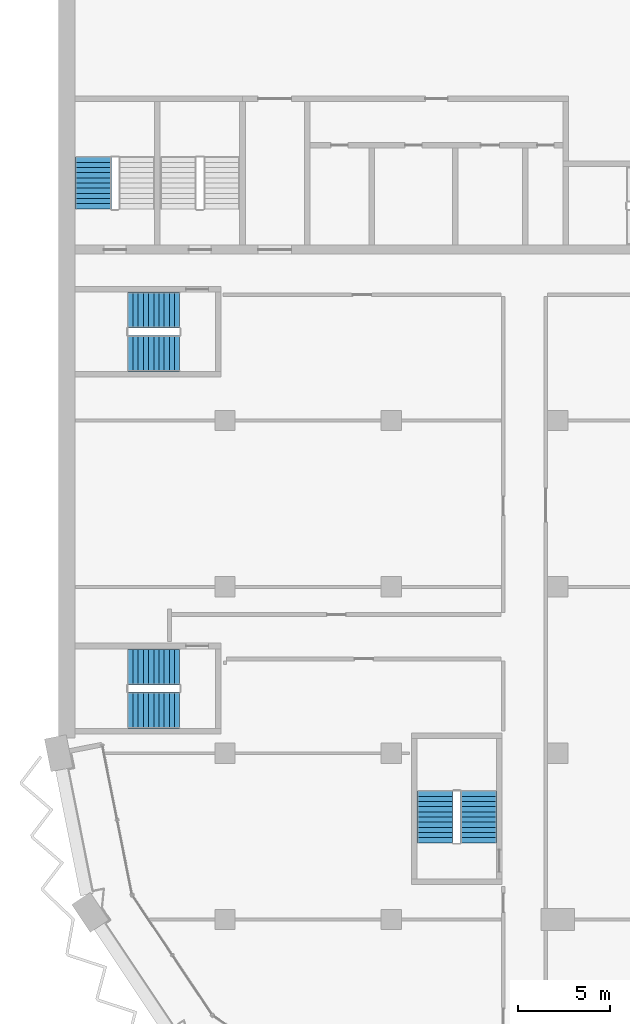
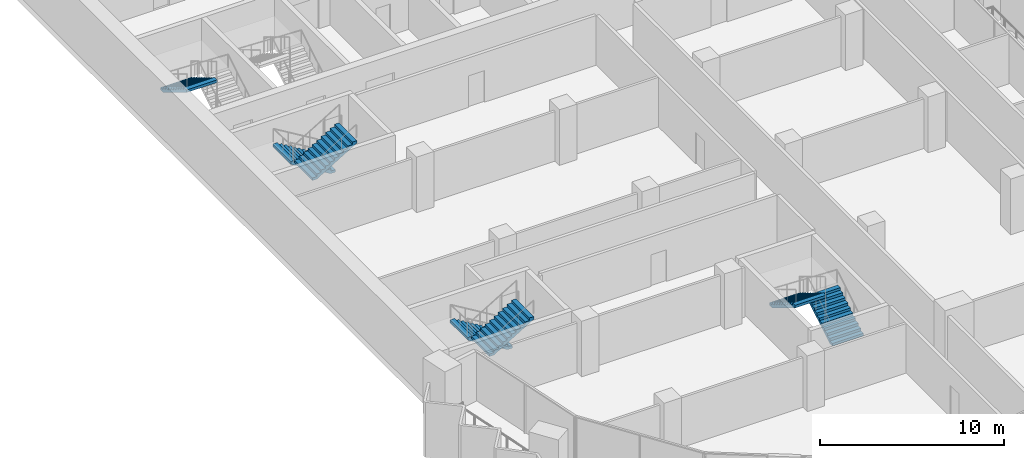
# One storey, part 11 of 17: 7 stair flights, 4 elements without a shape of their own.
"""IFC4 building model written with IfcOpenShell, lengths in metres."""

from ifc_helpers import new_model, si_unit, direction, frame, origin, place, context, subcontext, project, spatial, polyline, outline, extrude, material, type_object, element, aggregate, save


model = new_model("IFC4")

# Units and contexts
model_context = context("Model", 3, precision=1e-05, world=origin(), true_north=direction((0.0, 1.0)))
body_context = subcontext(model_context, "Body", "Model", "MODEL_VIEW")
ifc_project = project(units=[si_unit("LENGTHUNIT", "METRE"), si_unit("AREAUNIT", "SQUARE_METRE"), si_unit("VOLUMEUNIT", "CUBIC_METRE"), si_unit("PLANEANGLEUNIT", "RADIAN"), si_unit("MASSUNIT", "GRAM", prefix="KILO")], contexts=[model_context])

# Site, building, storey
site_placement = place(None, origin())
site = spatial("IfcSite", under=ifc_project, at=site_placement, CompositionType="ELEMENT")
building_placement = place(site_placement, origin())
building = spatial("IfcBuilding", under=site, at=building_placement, Name="Hunhe Ridgeline Campus", CompositionType="ELEMENT")
storey_placement = place(building_placement, frame((0.0, 0.0, 197.60009765625)))
storey = spatial("IfcBuildingStorey", under=building, at=storey_placement, Name="L50", CompositionType="ELEMENT", Elevation=197.60009765625)

# Stair, stair flight
ifc_material = material(Name="Concrete C40", Category="concrete")
stair_type = type_object("IfcStairType", Name="Reinforced concrete dog-leg stair 1950 Concrete C40", PredefinedType="HALF_TURN_STAIR", material=ifc_material)
stair_1_placement = place(storey_placement, origin())
stair_1 = element("IfcStair", 1, at=stair_1_placement, inside=storey, type_object=stair_type, Name="L50 S3", PredefinedType="HALF_TURN_STAIR")
stair_flight_type = type_object("IfcStairFlightType", Name="Reinforced concrete stair flight 1950 Concrete C40", PredefinedType="STRAIGHT", material=ifc_material)
stair_flight_1_placement = place(storey_placement, frame((1.875, 68.25, 1.849853515625), z_axis=(0.0, 0.0, 1.0), x_axis=(0.0, -1.0, 0.0)))
stair_flight_1 = element("IfcStairFlight", 2, at=stair_flight_1_placement, type_object=stair_flight_type, Name="ST3 flight 2", NumberOfRisers=11, NumberOfTreads=10, PredefinedType="STRAIGHT", RiserHeight=0.168181818, TreadLength=0.28, context=body_context, shape_type="SweptSolid", body=[
    extrude(outline(polyline([(0.0, 0.0), (0.0, 0.168212890625), (0.280029296875, 0.168212890625), (0.280029296875, 0.33642578125), (0.56005859375, 0.33642578125), (0.56005859375, 0.504638671875), (0.840087890625, 0.504638671875), (0.840087890625, 0.672607421875), (1.1201171875, 0.672607421875), (1.1201171875, 0.8408203125), (1.39990234375, 0.8408203125), (1.39990234375, 1.009033203125), (1.679931640625, 1.009033203125), (1.679931640625, 1.17724609375), (1.9599609375, 1.17724609375), (1.9599609375, 1.345458984375), (2.239990234375, 1.345458984375), (2.239990234375, 1.513671875), (2.52001953125, 1.513671875), (2.52001953125, 1.681884765625), (2.800048828125, 1.681884765625), (2.800048828125, 1.85009765625), (2.800048828125, 1.5068359375), (0.291015625, 0.0), (0.0, 0.0)])), frame((0.0, 0.97509765625, 0.0), z_axis=(0.0, -1.0, 0.0), x_axis=(1.0, 0.0, 0.0)), (0.0, 0.0, 1.0), 1.949951171875),
    extrude(outline(polyline([(0.030029296875, 0.030029296875), (0.030029296875, 0.13818359375), (0.31005859375, 0.13818359375), (0.31005859375, 0.306396484375), (0.590087890625, 0.306396484375), (0.590087890625, 0.474609375), (0.8701171875, 0.474609375), (0.8701171875, 0.642578125), (1.14990234375, 0.642578125), (1.14990234375, 0.810791015625), (1.429931640625, 0.810791015625), (1.429931640625, 0.97900390625), (1.7099609375, 0.97900390625), (1.7099609375, 1.147216796875), (1.989990234375, 1.147216796875), (1.989990234375, 1.3154296875), (2.27001953125, 1.3154296875), (2.27001953125, 1.483642578125), (2.550048828125, 1.483642578125), (2.550048828125, 1.65185546875), (2.77001953125, 1.65185546875), (2.77001953125, 1.52392578125), (0.28271484375, 0.030029296875), (0.030029296875, 0.030029296875)])), frame((0.0, -0.070068359375, 0.0), z_axis=(0.0, -1.0, 0.0), x_axis=(1.0, 0.0, 0.0)), (0.0, 0.0, 1.0), 0.019775390625),
    extrude(outline(polyline([(0.030029296875, 0.030029296875), (0.030029296875, 0.13818359375), (0.31005859375, 0.13818359375), (0.31005859375, 0.306396484375), (0.590087890625, 0.306396484375), (0.590087890625, 0.474609375), (0.8701171875, 0.474609375), (0.8701171875, 0.642578125), (1.14990234375, 0.642578125), (1.14990234375, 0.810791015625), (1.429931640625, 0.810791015625), (1.429931640625, 0.97900390625), (1.7099609375, 0.97900390625), (1.7099609375, 1.147216796875), (1.989990234375, 1.147216796875), (1.989990234375, 1.3154296875), (2.27001953125, 1.3154296875), (2.27001953125, 1.483642578125), (2.550048828125, 1.483642578125), (2.550048828125, 1.65185546875), (2.77001953125, 1.65185546875), (2.77001953125, 1.52392578125), (0.28271484375, 0.030029296875), (0.030029296875, 0.030029296875)])), frame((0.0, 0.010009765625, 0.0), z_axis=(0.0, -1.0, 0.0), x_axis=(1.0, 0.0, 0.0)), (0.0, 0.0, 1.0), 0.019775390625),
    extrude(outline(polyline([(0.030029296875, 0.030029296875), (0.030029296875, 0.13818359375), (0.31005859375, 0.13818359375), (0.31005859375, 0.306396484375), (0.590087890625, 0.306396484375), (0.590087890625, 0.474609375), (0.8701171875, 0.474609375), (0.8701171875, 0.642578125), (1.14990234375, 0.642578125), (1.14990234375, 0.810791015625), (1.429931640625, 0.810791015625), (1.429931640625, 0.97900390625), (1.7099609375, 0.97900390625), (1.7099609375, 1.147216796875), (1.989990234375, 1.147216796875), (1.989990234375, 1.3154296875), (2.27001953125, 1.3154296875), (2.27001953125, 1.483642578125), (2.550048828125, 1.483642578125), (2.550048828125, 1.65185546875), (2.77001953125, 1.65185546875), (2.77001953125, 1.52392578125), (0.28271484375, 0.030029296875), (0.030029296875, 0.030029296875)])), frame((0.0, 0.090087890625, 0.0), z_axis=(0.0, -1.0, 0.0), x_axis=(1.0, 0.0, 0.0)), (0.0, 0.0, 1.0), 0.019775390625),
])
aggregate(stair_1, [stair_flight_1])

# Stair, stair flights
stair_2_placement = place(storey_placement, origin())
stair_2 = element("IfcStair", 3, at=stair_2_placement, inside=storey, type_object=stair_type, Name="L50 W3", PredefinedType="HALF_TURN_STAIR")
stair_flight_2_placement = place(storey_placement, frame((22.72509765625, 31.14990234375, 0.0), z_axis=(0.0, 0.0, 1.0), x_axis=(0.0, 1.0, 0.0)))
stair_flight_2 = element("IfcStairFlight", 4, at=stair_flight_2_placement, type_object=stair_flight_type, Name="ST9 flight 1", NumberOfRisers=11, NumberOfTreads=10, PredefinedType="STRAIGHT", RiserHeight=0.168181818, TreadLength=0.28, context=body_context, shape_type="SweptSolid", body=[
    extrude(outline(polyline([(0.0, 0.0), (0.0, 0.168212890625), (0.280029296875, 0.168212890625), (0.280029296875, 0.33642578125), (0.56005859375, 0.33642578125), (0.56005859375, 0.504638671875), (0.840087890625, 0.504638671875), (0.840087890625, 0.672607421875), (1.1201171875, 0.672607421875), (1.1201171875, 0.8408203125), (1.39990234375, 0.8408203125), (1.39990234375, 1.009033203125), (1.679931640625, 1.009033203125), (1.679931640625, 1.17724609375), (1.9599609375, 1.17724609375), (1.9599609375, 1.345458984375), (2.239990234375, 1.345458984375), (2.239990234375, 1.513671875), (2.52001953125, 1.513671875), (2.52001953125, 1.681884765625), (2.800048828125, 1.681884765625), (2.800048828125, 1.85009765625), (2.800048828125, 1.5068359375), (0.291015625, 0.0), (0.0, 0.0)])), frame((0.0, 0.97509765625, 0.0), z_axis=(0.0, -1.0, 0.0), x_axis=(1.0, 0.0, 0.0)), (0.0, 0.0, 1.0), 1.949951171875),
    extrude(outline(polyline([(0.030029296875, 0.030029296875), (0.030029296875, 0.13818359375), (0.31005859375, 0.13818359375), (0.31005859375, 0.306396484375), (0.590087890625, 0.306396484375), (0.590087890625, 0.474609375), (0.8701171875, 0.474609375), (0.8701171875, 0.642578125), (1.14990234375, 0.642578125), (1.14990234375, 0.810791015625), (1.429931640625, 0.810791015625), (1.429931640625, 0.97900390625), (1.7099609375, 0.97900390625), (1.7099609375, 1.147216796875), (1.989990234375, 1.147216796875), (1.989990234375, 1.3154296875), (2.27001953125, 1.3154296875), (2.27001953125, 1.483642578125), (2.550048828125, 1.483642578125), (2.550048828125, 1.65185546875), (2.77001953125, 1.65185546875), (2.77001953125, 1.52392578125), (0.28271484375, 0.030029296875), (0.030029296875, 0.030029296875)])), frame((0.0, -0.070068359375, 0.0), z_axis=(0.0, -1.0, 0.0), x_axis=(1.0, 0.0, 0.0)), (0.0, 0.0, 1.0), 0.019775390625),
    extrude(outline(polyline([(0.030029296875, 0.030029296875), (0.030029296875, 0.13818359375), (0.31005859375, 0.13818359375), (0.31005859375, 0.306396484375), (0.590087890625, 0.306396484375), (0.590087890625, 0.474609375), (0.8701171875, 0.474609375), (0.8701171875, 0.642578125), (1.14990234375, 0.642578125), (1.14990234375, 0.810791015625), (1.429931640625, 0.810791015625), (1.429931640625, 0.97900390625), (1.7099609375, 0.97900390625), (1.7099609375, 1.147216796875), (1.989990234375, 1.147216796875), (1.989990234375, 1.3154296875), (2.27001953125, 1.3154296875), (2.27001953125, 1.483642578125), (2.550048828125, 1.483642578125), (2.550048828125, 1.65185546875), (2.77001953125, 1.65185546875), (2.77001953125, 1.52392578125), (0.28271484375, 0.030029296875), (0.030029296875, 0.030029296875)])), frame((0.0, 0.010009765625, 0.0), z_axis=(0.0, -1.0, 0.0), x_axis=(1.0, 0.0, 0.0)), (0.0, 0.0, 1.0), 0.019775390625),
    extrude(outline(polyline([(0.030029296875, 0.030029296875), (0.030029296875, 0.13818359375), (0.31005859375, 0.13818359375), (0.31005859375, 0.306396484375), (0.590087890625, 0.306396484375), (0.590087890625, 0.474609375), (0.8701171875, 0.474609375), (0.8701171875, 0.642578125), (1.14990234375, 0.642578125), (1.14990234375, 0.810791015625), (1.429931640625, 0.810791015625), (1.429931640625, 0.97900390625), (1.7099609375, 0.97900390625), (1.7099609375, 1.147216796875), (1.989990234375, 1.147216796875), (1.989990234375, 1.3154296875), (2.27001953125, 1.3154296875), (2.27001953125, 1.483642578125), (2.550048828125, 1.483642578125), (2.550048828125, 1.65185546875), (2.77001953125, 1.65185546875), (2.77001953125, 1.52392578125), (0.28271484375, 0.030029296875), (0.030029296875, 0.030029296875)])), frame((0.0, 0.090087890625, 0.0), z_axis=(0.0, -1.0, 0.0), x_axis=(1.0, 0.0, 0.0)), (0.0, 0.0, 1.0), 0.019775390625),
])
stair_flight_3_placement = place(storey_placement, frame((20.375, 33.949951171875, 1.849853515625), z_axis=(0.0, 0.0, 1.0), x_axis=(0.0, -1.0, 0.0)))
stair_flight_3 = element("IfcStairFlight", 5, at=stair_flight_3_placement, type_object=stair_flight_type, Name="ST9 flight 2", NumberOfRisers=11, NumberOfTreads=10, PredefinedType="STRAIGHT", RiserHeight=0.168181818, TreadLength=0.28, context=body_context, shape_type="SweptSolid", body=[
    extrude(outline(polyline([(0.0, 0.0), (0.0, 0.168212890625), (0.280029296875, 0.168212890625), (0.280029296875, 0.33642578125), (0.56005859375, 0.33642578125), (0.56005859375, 0.504638671875), (0.840087890625, 0.504638671875), (0.840087890625, 0.672607421875), (1.1201171875, 0.672607421875), (1.1201171875, 0.8408203125), (1.39990234375, 0.8408203125), (1.39990234375, 1.009033203125), (1.679931640625, 1.009033203125), (1.679931640625, 1.17724609375), (1.9599609375, 1.17724609375), (1.9599609375, 1.345458984375), (2.239990234375, 1.345458984375), (2.239990234375, 1.513671875), (2.52001953125, 1.513671875), (2.52001953125, 1.681884765625), (2.800048828125, 1.681884765625), (2.800048828125, 1.85009765625), (2.800048828125, 1.5068359375), (0.291015625, 0.0), (0.0, 0.0)])), frame((0.0, 0.97509765625, 0.0), z_axis=(0.0, -1.0, 0.0), x_axis=(1.0, 0.0, 0.0)), (0.0, 0.0, 1.0), 1.949951171875),
    extrude(outline(polyline([(0.030029296875, 0.030029296875), (0.030029296875, 0.13818359375), (0.31005859375, 0.13818359375), (0.31005859375, 0.306396484375), (0.590087890625, 0.306396484375), (0.590087890625, 0.474609375), (0.8701171875, 0.474609375), (0.8701171875, 0.642578125), (1.14990234375, 0.642578125), (1.14990234375, 0.810791015625), (1.429931640625, 0.810791015625), (1.429931640625, 0.97900390625), (1.7099609375, 0.97900390625), (1.7099609375, 1.147216796875), (1.989990234375, 1.147216796875), (1.989990234375, 1.3154296875), (2.27001953125, 1.3154296875), (2.27001953125, 1.483642578125), (2.550048828125, 1.483642578125), (2.550048828125, 1.65185546875), (2.77001953125, 1.65185546875), (2.77001953125, 1.52392578125), (0.28271484375, 0.030029296875), (0.030029296875, 0.030029296875)])), frame((0.0, -0.070068359375, 0.0), z_axis=(0.0, -1.0, 0.0), x_axis=(1.0, 0.0, 0.0)), (0.0, 0.0, 1.0), 0.019775390625),
    extrude(outline(polyline([(0.030029296875, 0.030029296875), (0.030029296875, 0.13818359375), (0.31005859375, 0.13818359375), (0.31005859375, 0.306396484375), (0.590087890625, 0.306396484375), (0.590087890625, 0.474609375), (0.8701171875, 0.474609375), (0.8701171875, 0.642578125), (1.14990234375, 0.642578125), (1.14990234375, 0.810791015625), (1.429931640625, 0.810791015625), (1.429931640625, 0.97900390625), (1.7099609375, 0.97900390625), (1.7099609375, 1.147216796875), (1.989990234375, 1.147216796875), (1.989990234375, 1.3154296875), (2.27001953125, 1.3154296875), (2.27001953125, 1.483642578125), (2.550048828125, 1.483642578125), (2.550048828125, 1.65185546875), (2.77001953125, 1.65185546875), (2.77001953125, 1.52392578125), (0.28271484375, 0.030029296875), (0.030029296875, 0.030029296875)])), frame((0.0, 0.010009765625, 0.0), z_axis=(0.0, -1.0, 0.0), x_axis=(1.0, 0.0, 0.0)), (0.0, 0.0, 1.0), 0.019775390625),
    extrude(outline(polyline([(0.030029296875, 0.030029296875), (0.030029296875, 0.13818359375), (0.31005859375, 0.13818359375), (0.31005859375, 0.306396484375), (0.590087890625, 0.306396484375), (0.590087890625, 0.474609375), (0.8701171875, 0.474609375), (0.8701171875, 0.642578125), (1.14990234375, 0.642578125), (1.14990234375, 0.810791015625), (1.429931640625, 0.810791015625), (1.429931640625, 0.97900390625), (1.7099609375, 0.97900390625), (1.7099609375, 1.147216796875), (1.989990234375, 1.147216796875), (1.989990234375, 1.3154296875), (2.27001953125, 1.3154296875), (2.27001953125, 1.483642578125), (2.550048828125, 1.483642578125), (2.550048828125, 1.65185546875), (2.77001953125, 1.65185546875), (2.77001953125, 1.52392578125), (0.28271484375, 0.030029296875), (0.030029296875, 0.030029296875)])), frame((0.0, 0.090087890625, 0.0), z_axis=(0.0, -1.0, 0.0), x_axis=(1.0, 0.0, 0.0)), (0.0, 0.0, 1.0), 0.019775390625),
])
aggregate(stair_2, [stair_flight_2, stair_flight_3])

stair_3_placement = place(storey_placement, origin())
stair_3 = element("IfcStair", 6, at=stair_3_placement, inside=storey, type_object=stair_type, Name="L50 W1", PredefinedType="HALF_TURN_STAIR")
stair_flight_4_placement = place(storey_placement, frame((6.550048828125, 40.675048828125, 0.0), z_axis=(0.0, 0.0, 1.0), x_axis=(-1.0, 0.0, 0.0)))
stair_flight_4 = element("IfcStairFlight", 7, at=stair_flight_4_placement, type_object=stair_flight_type, Name="ST11 flight 1", NumberOfRisers=11, NumberOfTreads=10, PredefinedType="STRAIGHT", RiserHeight=0.168181818, TreadLength=0.28, context=body_context, shape_type="SweptSolid", body=[
    extrude(outline(polyline([(0.0, 0.0), (0.0, 0.168212890625), (0.280029296875, 0.168212890625), (0.280029296875, 0.33642578125), (0.56005859375, 0.33642578125), (0.56005859375, 0.504638671875), (0.840087890625, 0.504638671875), (0.840087890625, 0.672607421875), (1.1201171875, 0.672607421875), (1.1201171875, 0.8408203125), (1.39990234375, 0.8408203125), (1.39990234375, 1.009033203125), (1.679931640625, 1.009033203125), (1.679931640625, 1.17724609375), (1.9599609375, 1.17724609375), (1.9599609375, 1.345458984375), (2.239990234375, 1.345458984375), (2.239990234375, 1.513671875), (2.52001953125, 1.513671875), (2.52001953125, 1.681884765625), (2.800048828125, 1.681884765625), (2.800048828125, 1.85009765625), (2.800048828125, 1.5068359375), (0.291015625, 0.0), (0.0, 0.0)])), frame((0.0, 0.97509765625, 0.0), z_axis=(0.0, -1.0, 0.0), x_axis=(1.0, 0.0, 0.0)), (0.0, 0.0, 1.0), 1.949951171875),
    extrude(outline(polyline([(0.030029296875, 0.030029296875), (0.030029296875, 0.13818359375), (0.31005859375, 0.13818359375), (0.31005859375, 0.306396484375), (0.590087890625, 0.306396484375), (0.590087890625, 0.474609375), (0.8701171875, 0.474609375), (0.8701171875, 0.642578125), (1.14990234375, 0.642578125), (1.14990234375, 0.810791015625), (1.429931640625, 0.810791015625), (1.429931640625, 0.97900390625), (1.7099609375, 0.97900390625), (1.7099609375, 1.147216796875), (1.989990234375, 1.147216796875), (1.989990234375, 1.3154296875), (2.27001953125, 1.3154296875), (2.27001953125, 1.483642578125), (2.550048828125, 1.483642578125), (2.550048828125, 1.65185546875), (2.77001953125, 1.65185546875), (2.77001953125, 1.52392578125), (0.28271484375, 0.030029296875), (0.030029296875, 0.030029296875)])), frame((0.0, -0.070068359375, 0.0), z_axis=(0.0, -1.0, 0.0), x_axis=(1.0, 0.0, 0.0)), (0.0, 0.0, 1.0), 0.019775390625),
    extrude(outline(polyline([(0.030029296875, 0.030029296875), (0.030029296875, 0.13818359375), (0.31005859375, 0.13818359375), (0.31005859375, 0.306396484375), (0.590087890625, 0.306396484375), (0.590087890625, 0.474609375), (0.8701171875, 0.474609375), (0.8701171875, 0.642578125), (1.14990234375, 0.642578125), (1.14990234375, 0.810791015625), (1.429931640625, 0.810791015625), (1.429931640625, 0.97900390625), (1.7099609375, 0.97900390625), (1.7099609375, 1.147216796875), (1.989990234375, 1.147216796875), (1.989990234375, 1.3154296875), (2.27001953125, 1.3154296875), (2.27001953125, 1.483642578125), (2.550048828125, 1.483642578125), (2.550048828125, 1.65185546875), (2.77001953125, 1.65185546875), (2.77001953125, 1.52392578125), (0.28271484375, 0.030029296875), (0.030029296875, 0.030029296875)])), frame((0.0, 0.010009765625, 0.0), z_axis=(0.0, -1.0, 0.0), x_axis=(1.0, 0.0, 0.0)), (0.0, 0.0, 1.0), 0.019775390625),
    extrude(outline(polyline([(0.030029296875, 0.030029296875), (0.030029296875, 0.13818359375), (0.31005859375, 0.13818359375), (0.31005859375, 0.306396484375), (0.590087890625, 0.306396484375), (0.590087890625, 0.474609375), (0.8701171875, 0.474609375), (0.8701171875, 0.642578125), (1.14990234375, 0.642578125), (1.14990234375, 0.810791015625), (1.429931640625, 0.810791015625), (1.429931640625, 0.97900390625), (1.7099609375, 0.97900390625), (1.7099609375, 1.147216796875), (1.989990234375, 1.147216796875), (1.989990234375, 1.3154296875), (2.27001953125, 1.3154296875), (2.27001953125, 1.483642578125), (2.550048828125, 1.483642578125), (2.550048828125, 1.65185546875), (2.77001953125, 1.65185546875), (2.77001953125, 1.52392578125), (0.28271484375, 0.030029296875), (0.030029296875, 0.030029296875)])), frame((0.0, 0.090087890625, 0.0), z_axis=(0.0, -1.0, 0.0), x_axis=(1.0, 0.0, 0.0)), (0.0, 0.0, 1.0), 0.019775390625),
])
stair_flight_5_placement = place(storey_placement, frame((3.75, 38.324951171875, 1.849853515625), z_axis=(0.0, 0.0, 1.0), x_axis=(1.0, 0.0, 0.0)))
stair_flight_5 = element("IfcStairFlight", 8, at=stair_flight_5_placement, type_object=stair_flight_type, Name="ST11 flight 2", NumberOfRisers=11, NumberOfTreads=10, PredefinedType="STRAIGHT", RiserHeight=0.168181818, TreadLength=0.28, context=body_context, shape_type="SweptSolid", body=[
    extrude(outline(polyline([(0.0, 0.0), (0.0, 0.168212890625), (0.280029296875, 0.168212890625), (0.280029296875, 0.33642578125), (0.56005859375, 0.33642578125), (0.56005859375, 0.504638671875), (0.840087890625, 0.504638671875), (0.840087890625, 0.672607421875), (1.1201171875, 0.672607421875), (1.1201171875, 0.8408203125), (1.39990234375, 0.8408203125), (1.39990234375, 1.009033203125), (1.679931640625, 1.009033203125), (1.679931640625, 1.17724609375), (1.9599609375, 1.17724609375), (1.9599609375, 1.345458984375), (2.239990234375, 1.345458984375), (2.239990234375, 1.513671875), (2.52001953125, 1.513671875), (2.52001953125, 1.681884765625), (2.800048828125, 1.681884765625), (2.800048828125, 1.85009765625), (2.800048828125, 1.5068359375), (0.291015625, 0.0), (0.0, 0.0)])), frame((0.0, 0.97509765625, 0.0), z_axis=(0.0, -1.0, 0.0), x_axis=(1.0, 0.0, 0.0)), (0.0, 0.0, 1.0), 1.949951171875),
    extrude(outline(polyline([(0.030029296875, 0.030029296875), (0.030029296875, 0.13818359375), (0.31005859375, 0.13818359375), (0.31005859375, 0.306396484375), (0.590087890625, 0.306396484375), (0.590087890625, 0.474609375), (0.8701171875, 0.474609375), (0.8701171875, 0.642578125), (1.14990234375, 0.642578125), (1.14990234375, 0.810791015625), (1.429931640625, 0.810791015625), (1.429931640625, 0.97900390625), (1.7099609375, 0.97900390625), (1.7099609375, 1.147216796875), (1.989990234375, 1.147216796875), (1.989990234375, 1.3154296875), (2.27001953125, 1.3154296875), (2.27001953125, 1.483642578125), (2.550048828125, 1.483642578125), (2.550048828125, 1.65185546875), (2.77001953125, 1.65185546875), (2.77001953125, 1.52392578125), (0.28271484375, 0.030029296875), (0.030029296875, 0.030029296875)])), frame((0.0, -0.070068359375, 0.0), z_axis=(0.0, -1.0, 0.0), x_axis=(1.0, 0.0, 0.0)), (0.0, 0.0, 1.0), 0.019775390625),
    extrude(outline(polyline([(0.030029296875, 0.030029296875), (0.030029296875, 0.13818359375), (0.31005859375, 0.13818359375), (0.31005859375, 0.306396484375), (0.590087890625, 0.306396484375), (0.590087890625, 0.474609375), (0.8701171875, 0.474609375), (0.8701171875, 0.642578125), (1.14990234375, 0.642578125), (1.14990234375, 0.810791015625), (1.429931640625, 0.810791015625), (1.429931640625, 0.97900390625), (1.7099609375, 0.97900390625), (1.7099609375, 1.147216796875), (1.989990234375, 1.147216796875), (1.989990234375, 1.3154296875), (2.27001953125, 1.3154296875), (2.27001953125, 1.483642578125), (2.550048828125, 1.483642578125), (2.550048828125, 1.65185546875), (2.77001953125, 1.65185546875), (2.77001953125, 1.52392578125), (0.28271484375, 0.030029296875), (0.030029296875, 0.030029296875)])), frame((0.0, 0.010009765625, 0.0), z_axis=(0.0, -1.0, 0.0), x_axis=(1.0, 0.0, 0.0)), (0.0, 0.0, 1.0), 0.019775390625),
    extrude(outline(polyline([(0.030029296875, 0.030029296875), (0.030029296875, 0.13818359375), (0.31005859375, 0.13818359375), (0.31005859375, 0.306396484375), (0.590087890625, 0.306396484375), (0.590087890625, 0.474609375), (0.8701171875, 0.474609375), (0.8701171875, 0.642578125), (1.14990234375, 0.642578125), (1.14990234375, 0.810791015625), (1.429931640625, 0.810791015625), (1.429931640625, 0.97900390625), (1.7099609375, 0.97900390625), (1.7099609375, 1.147216796875), (1.989990234375, 1.147216796875), (1.989990234375, 1.3154296875), (2.27001953125, 1.3154296875), (2.27001953125, 1.483642578125), (2.550048828125, 1.483642578125), (2.550048828125, 1.65185546875), (2.77001953125, 1.65185546875), (2.77001953125, 1.52392578125), (0.28271484375, 0.030029296875), (0.030029296875, 0.030029296875)])), frame((0.0, 0.090087890625, 0.0), z_axis=(0.0, -1.0, 0.0), x_axis=(1.0, 0.0, 0.0)), (0.0, 0.0, 1.0), 0.019775390625),
])
aggregate(stair_3, [stair_flight_4, stair_flight_5])

stair_4_placement = place(storey_placement, origin())
stair_4 = element("IfcStair", 9, at=stair_4_placement, inside=storey, type_object=stair_type, Name="L50 W2", PredefinedType="HALF_TURN_STAIR")
stair_flight_6_placement = place(storey_placement, frame((6.550048828125, 59.97509765625, 0.0), z_axis=(0.0, 0.0, 1.0), x_axis=(-1.0, 0.0, 0.0)))
stair_flight_6 = element("IfcStairFlight", 10, at=stair_flight_6_placement, type_object=stair_flight_type, Name="ST12 flight 1", NumberOfRisers=11, NumberOfTreads=10, PredefinedType="STRAIGHT", RiserHeight=0.168181818, TreadLength=0.28, context=body_context, shape_type="SweptSolid", body=[
    extrude(outline(polyline([(0.0, 0.0), (0.0, 0.168212890625), (0.280029296875, 0.168212890625), (0.280029296875, 0.33642578125), (0.56005859375, 0.33642578125), (0.56005859375, 0.504638671875), (0.840087890625, 0.504638671875), (0.840087890625, 0.672607421875), (1.1201171875, 0.672607421875), (1.1201171875, 0.8408203125), (1.39990234375, 0.8408203125), (1.39990234375, 1.009033203125), (1.679931640625, 1.009033203125), (1.679931640625, 1.17724609375), (1.9599609375, 1.17724609375), (1.9599609375, 1.345458984375), (2.239990234375, 1.345458984375), (2.239990234375, 1.513671875), (2.52001953125, 1.513671875), (2.52001953125, 1.681884765625), (2.800048828125, 1.681884765625), (2.800048828125, 1.85009765625), (2.800048828125, 1.5068359375), (0.291015625, 0.0), (0.0, 0.0)])), frame((0.0, 0.97509765625, 0.0), z_axis=(0.0, -1.0, 0.0), x_axis=(1.0, 0.0, 0.0)), (0.0, 0.0, 1.0), 1.949951171875),
    extrude(outline(polyline([(0.030029296875, 0.030029296875), (0.030029296875, 0.13818359375), (0.31005859375, 0.13818359375), (0.31005859375, 0.306396484375), (0.590087890625, 0.306396484375), (0.590087890625, 0.474609375), (0.8701171875, 0.474609375), (0.8701171875, 0.642578125), (1.14990234375, 0.642578125), (1.14990234375, 0.810791015625), (1.429931640625, 0.810791015625), (1.429931640625, 0.97900390625), (1.7099609375, 0.97900390625), (1.7099609375, 1.147216796875), (1.989990234375, 1.147216796875), (1.989990234375, 1.3154296875), (2.27001953125, 1.3154296875), (2.27001953125, 1.483642578125), (2.550048828125, 1.483642578125), (2.550048828125, 1.65185546875), (2.77001953125, 1.65185546875), (2.77001953125, 1.52392578125), (0.28271484375, 0.030029296875), (0.030029296875, 0.030029296875)])), frame((0.0, -0.070068359375, 0.0), z_axis=(0.0, -1.0, 0.0), x_axis=(1.0, 0.0, 0.0)), (0.0, 0.0, 1.0), 0.019775390625),
    extrude(outline(polyline([(0.030029296875, 0.030029296875), (0.030029296875, 0.13818359375), (0.31005859375, 0.13818359375), (0.31005859375, 0.306396484375), (0.590087890625, 0.306396484375), (0.590087890625, 0.474609375), (0.8701171875, 0.474609375), (0.8701171875, 0.642578125), (1.14990234375, 0.642578125), (1.14990234375, 0.810791015625), (1.429931640625, 0.810791015625), (1.429931640625, 0.97900390625), (1.7099609375, 0.97900390625), (1.7099609375, 1.147216796875), (1.989990234375, 1.147216796875), (1.989990234375, 1.3154296875), (2.27001953125, 1.3154296875), (2.27001953125, 1.483642578125), (2.550048828125, 1.483642578125), (2.550048828125, 1.65185546875), (2.77001953125, 1.65185546875), (2.77001953125, 1.52392578125), (0.28271484375, 0.030029296875), (0.030029296875, 0.030029296875)])), frame((0.0, 0.010009765625, 0.0), z_axis=(0.0, -1.0, 0.0), x_axis=(1.0, 0.0, 0.0)), (0.0, 0.0, 1.0), 0.019775390625),
    extrude(outline(polyline([(0.030029296875, 0.030029296875), (0.030029296875, 0.13818359375), (0.31005859375, 0.13818359375), (0.31005859375, 0.306396484375), (0.590087890625, 0.306396484375), (0.590087890625, 0.474609375), (0.8701171875, 0.474609375), (0.8701171875, 0.642578125), (1.14990234375, 0.642578125), (1.14990234375, 0.810791015625), (1.429931640625, 0.810791015625), (1.429931640625, 0.97900390625), (1.7099609375, 0.97900390625), (1.7099609375, 1.147216796875), (1.989990234375, 1.147216796875), (1.989990234375, 1.3154296875), (2.27001953125, 1.3154296875), (2.27001953125, 1.483642578125), (2.550048828125, 1.483642578125), (2.550048828125, 1.65185546875), (2.77001953125, 1.65185546875), (2.77001953125, 1.52392578125), (0.28271484375, 0.030029296875), (0.030029296875, 0.030029296875)])), frame((0.0, 0.090087890625, 0.0), z_axis=(0.0, -1.0, 0.0), x_axis=(1.0, 0.0, 0.0)), (0.0, 0.0, 1.0), 0.019775390625),
])
stair_flight_7_placement = place(storey_placement, frame((3.75, 57.625, 1.849853515625), z_axis=(0.0, 0.0, 1.0), x_axis=(1.0, 0.0, 0.0)))
stair_flight_7 = element("IfcStairFlight", 11, at=stair_flight_7_placement, type_object=stair_flight_type, Name="ST12 flight 2", NumberOfRisers=11, NumberOfTreads=10, PredefinedType="STRAIGHT", RiserHeight=0.168181818, TreadLength=0.28, context=body_context, shape_type="SweptSolid", body=[
    extrude(outline(polyline([(0.0, 0.0), (0.0, 0.168212890625), (0.280029296875, 0.168212890625), (0.280029296875, 0.33642578125), (0.56005859375, 0.33642578125), (0.56005859375, 0.504638671875), (0.840087890625, 0.504638671875), (0.840087890625, 0.672607421875), (1.1201171875, 0.672607421875), (1.1201171875, 0.8408203125), (1.39990234375, 0.8408203125), (1.39990234375, 1.009033203125), (1.679931640625, 1.009033203125), (1.679931640625, 1.17724609375), (1.9599609375, 1.17724609375), (1.9599609375, 1.345458984375), (2.239990234375, 1.345458984375), (2.239990234375, 1.513671875), (2.52001953125, 1.513671875), (2.52001953125, 1.681884765625), (2.800048828125, 1.681884765625), (2.800048828125, 1.85009765625), (2.800048828125, 1.5068359375), (0.291015625, 0.0), (0.0, 0.0)])), frame((0.0, 0.97509765625, 0.0), z_axis=(0.0, -1.0, 0.0), x_axis=(1.0, 0.0, 0.0)), (0.0, 0.0, 1.0), 1.949951171875),
    extrude(outline(polyline([(0.030029296875, 0.030029296875), (0.030029296875, 0.13818359375), (0.31005859375, 0.13818359375), (0.31005859375, 0.306396484375), (0.590087890625, 0.306396484375), (0.590087890625, 0.474609375), (0.8701171875, 0.474609375), (0.8701171875, 0.642578125), (1.14990234375, 0.642578125), (1.14990234375, 0.810791015625), (1.429931640625, 0.810791015625), (1.429931640625, 0.97900390625), (1.7099609375, 0.97900390625), (1.7099609375, 1.147216796875), (1.989990234375, 1.147216796875), (1.989990234375, 1.3154296875), (2.27001953125, 1.3154296875), (2.27001953125, 1.483642578125), (2.550048828125, 1.483642578125), (2.550048828125, 1.65185546875), (2.77001953125, 1.65185546875), (2.77001953125, 1.52392578125), (0.28271484375, 0.030029296875), (0.030029296875, 0.030029296875)])), frame((0.0, -0.070068359375, 0.0), z_axis=(0.0, -1.0, 0.0), x_axis=(1.0, 0.0, 0.0)), (0.0, 0.0, 1.0), 0.019775390625),
    extrude(outline(polyline([(0.030029296875, 0.030029296875), (0.030029296875, 0.13818359375), (0.31005859375, 0.13818359375), (0.31005859375, 0.306396484375), (0.590087890625, 0.306396484375), (0.590087890625, 0.474609375), (0.8701171875, 0.474609375), (0.8701171875, 0.642578125), (1.14990234375, 0.642578125), (1.14990234375, 0.810791015625), (1.429931640625, 0.810791015625), (1.429931640625, 0.97900390625), (1.7099609375, 0.97900390625), (1.7099609375, 1.147216796875), (1.989990234375, 1.147216796875), (1.989990234375, 1.3154296875), (2.27001953125, 1.3154296875), (2.27001953125, 1.483642578125), (2.550048828125, 1.483642578125), (2.550048828125, 1.65185546875), (2.77001953125, 1.65185546875), (2.77001953125, 1.52392578125), (0.28271484375, 0.030029296875), (0.030029296875, 0.030029296875)])), frame((0.0, 0.010009765625, 0.0), z_axis=(0.0, -1.0, 0.0), x_axis=(1.0, 0.0, 0.0)), (0.0, 0.0, 1.0), 0.019775390625),
    extrude(outline(polyline([(0.030029296875, 0.030029296875), (0.030029296875, 0.13818359375), (0.31005859375, 0.13818359375), (0.31005859375, 0.306396484375), (0.590087890625, 0.306396484375), (0.590087890625, 0.474609375), (0.8701171875, 0.474609375), (0.8701171875, 0.642578125), (1.14990234375, 0.642578125), (1.14990234375, 0.810791015625), (1.429931640625, 0.810791015625), (1.429931640625, 0.97900390625), (1.7099609375, 0.97900390625), (1.7099609375, 1.147216796875), (1.989990234375, 1.147216796875), (1.989990234375, 1.3154296875), (2.27001953125, 1.3154296875), (2.27001953125, 1.483642578125), (2.550048828125, 1.483642578125), (2.550048828125, 1.65185546875), (2.77001953125, 1.65185546875), (2.77001953125, 1.52392578125), (0.28271484375, 0.030029296875), (0.030029296875, 0.030029296875)])), frame((0.0, 0.090087890625, 0.0), z_axis=(0.0, -1.0, 0.0), x_axis=(1.0, 0.0, 0.0)), (0.0, 0.0, 1.0), 0.019775390625),
])
aggregate(stair_4, [stair_flight_6, stair_flight_7])

save(model, "model.ifc")
